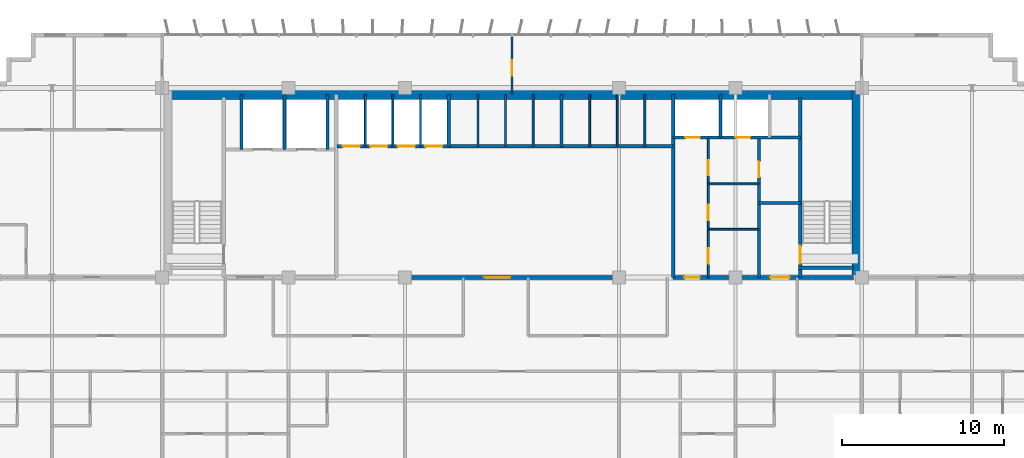
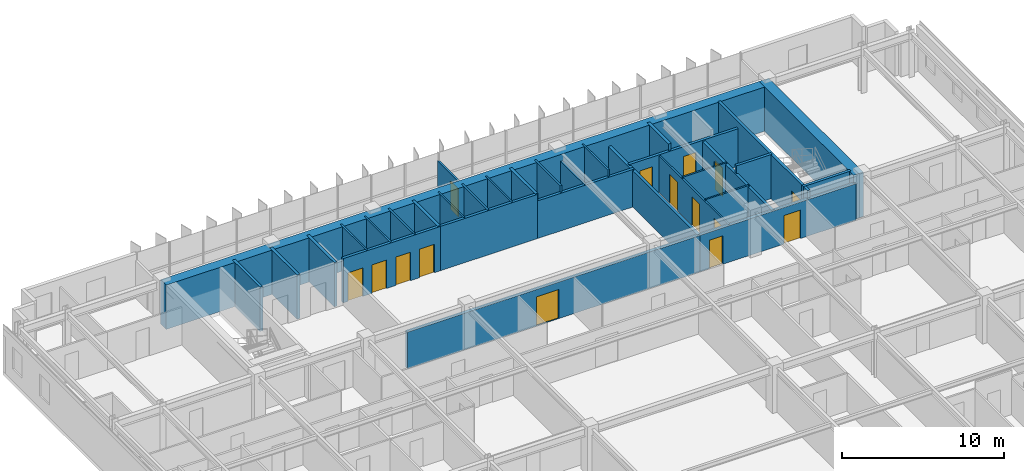
# One storey, part 18 of 22: 32 walls, 15 doors, 15 openings.
"""IFC4 building model written with IfcOpenShell, lengths in metres."""

from ifc_helpers import new_model, si_unit, direction, frame, frame_2d, origin, place, context, subcontext, project, spatial, rectangle, extrude, source, transform, mapped, material, layer, layer_set, type_object, element, fill, save


model = new_model("IFC4")

# Units and contexts
model_context = context("Model", 3, precision=1e-05, world=origin(), true_north=direction((0.0, 1.0)))
body_context = subcontext(model_context, "Body", "Model", "MODEL_VIEW")
ifc_project = project(units=[si_unit("LENGTHUNIT", "METRE"), si_unit("AREAUNIT", "SQUARE_METRE"), si_unit("VOLUMEUNIT", "CUBIC_METRE"), si_unit("PLANEANGLEUNIT", "RADIAN"), si_unit("MASSUNIT", "GRAM", prefix="KILO")], contexts=[model_context])

# Site, building, storey
site_placement = place(None, origin())
site = spatial("IfcSite", under=ifc_project, at=site_placement, CompositionType="ELEMENT")
building_placement = place(site_placement, origin())
building = spatial("IfcBuilding", under=site, at=building_placement, Name="Trelvane Seafront Commons", CompositionType="ELEMENT")
storey_placement = place(building_placement, frame((0.0, 0.0, 99.699951171875)))
storey = spatial("IfcBuildingStorey", under=building, at=storey_placement, Name="L25", CompositionType="ELEMENT", Elevation=99.699951171875)

# Wall, opening, door
ifc_material_1 = material(Name="Concrete C40/50", Category="concrete")
ifc_layer_1 = layer(ifc_material_1, 0.199951171875, Name="ARCH-WALL-FIRE200")
ifc_layer_set_1 = layer_set([ifc_layer_1], Name="Concrete C40/50")
wall_type_1 = type_object("IfcWallType", Name="ARCH-WALL-FIRE200", PredefinedType="PARTITIONING", material=ifc_layer_set_1)
wall_1_placement = place(storey_placement, frame((52.449951171875, 33.39990234375, 0.0), z_axis=(0.0, 0.0, 1.0), x_axis=(0.0, 1.0, 0.0)))
wall_1 = element("IfcWall", 1, at=wall_1_placement, inside=storey, type_object=wall_type_1, Name="W-L25-ST2V-W-033", PredefinedType="PARTITIONING", context=body_context, shape_type="SweptSolid", body=[
    extrude(rectangle(XDim=8.650146484375, YDim=0.199951171875, at=frame_2d((4.3251953125, 0.0))), origin(), (0.0, 0.0, 1.0), 2.751953125),
])
opening_1_placement = place(wall_1_placement, frame((6.199951171875, 0.0, 0.0)))
opening_1 = element("IfcOpeningElement", 2, at=opening_1_placement, cuts=wall_1, Name="Opening FD-L25-13", PredefinedType="OPENING", context=body_context, shape_type="SweptSolid", body=[
    extrude(rectangle(XDim=0.949951171875, YDim=2.14990234375, at=frame_2d((0.47509765625, 1.074951171875))), frame((0.0, 0.10986328125, 0.0), z_axis=(0.0, -1.0, 0.0), x_axis=(1.0, 0.0, 0.0)), (0.0, 0.0, 1.0), 0.219970703125),
])
ifc_material_2 = material(Name="Powder-coated aluminium frame", Category="aluminium")
door_type_1 = type_object("IfcDoorType", Name="ARCH-DR-FD60-950", OperationType="NOTDEFINED", PredefinedType="DOOR", material=ifc_material_2)
shared_shape_1 = source(origin(), body_context, "Body", "SweptSolid", [
    extrude(rectangle(XDim=0.949951171875, YDim=2.14990234375, at=frame_2d((0.47509765625, 1.074951171875))), frame((0.0, 0.02490234375, 0.0), z_axis=(0.0, -1.0, 0.0), x_axis=(1.0, 0.0, 0.0)), (0.0, 0.0, 1.0), 0.050048828125),
])
door_1_placement = place(opening_1_placement, origin())
door_1 = element("IfcDoor", 3, at=door_1_placement, inside=storey, type_object=door_type_1, Name="L25 Cleaner Store Door", OperationType="SINGLE_SWING_LEFT", OverallHeight=2.14990234375, OverallWidth=0.949951171875, PredefinedType="DOOR", context=body_context, shape_type="MappedRepresentation", body=[
    mapped(shared_shape_1, transform((0.0, 0.0, 0.0), x_axis=(1.0, 0.0, 0.0), y_axis=(0.0, 1.0, 0.0), z_axis=(0.0, 0.0, 1.0), scale=1.0)),
])
fill(opening_1, door_1)

# Wall
wall_2_placement = place(storey_placement, frame((52.449951171875, 38.0, 0.0), z_axis=(0.0, 0.0, 1.0), x_axis=(1.0, 0.0, 0.0)))
element("IfcWall", 4, at=wall_2_placement, inside=storey, type_object=wall_type_1, Name="W-L25-ST2V-N-034", PredefinedType="PARTITIONING", context=body_context, shape_type="SweptSolid", body=[
    extrude(rectangle(XDim=2.550048828125, YDim=0.199951171875, at=frame_2d((1.27490234375, 0.0))), origin(), (0.0, 0.0, 1.0), 3.340087890625),
])

# Wall, opening, door
ifc_layer_2 = layer(ifc_material_1, 0.25, Name="ARCH-WALL-FIRE250")
ifc_layer_set_2 = layer_set([ifc_layer_2], Name="Concrete C40/50")
wall_type_2 = type_object("IfcWallType", Name="ARCH-WALL-FIRE250", PredefinedType="PARTITIONING", material=ifc_layer_set_2)
wall_3_placement = place(storey_placement, frame((26.300048828125, 33.39990234375, 0.0), z_axis=(0.0, 0.0, 1.0), x_axis=(1.0, 0.0, 0.0)))
wall_3 = element("IfcWall", 5, at=wall_3_placement, inside=storey, type_object=wall_type_2, Name="W-L25-CS-PAX-029", PredefinedType="PARTITIONING", context=body_context, shape_type="SweptSolid", body=[
    extrude(rectangle(XDim=20.849853515625, YDim=0.25, at=frame_2d((10.4248046875, 0.0))), origin(), (0.0, 0.0, 1.0), 2.751953125),
])
opening_2_placement = place(wall_3_placement, frame((9.199951171875, 0.0, 0.0)))
opening_2 = element("IfcOpeningElement", 6, at=opening_2_placement, cuts=wall_3, Name="Opening FD-L25-10", PredefinedType="OPENING", context=body_context, shape_type="SweptSolid", body=[
    extrude(rectangle(XDim=1.60009765625, YDim=2.199951171875, at=frame_2d((0.800048828125, 1.10009765625))), frame((0.0, 0.135009765625, 0.0), z_axis=(0.0, -1.0, 0.0), x_axis=(1.0, 0.0, 0.0)), (0.0, 0.0, 1.0), 0.27001953125),
])
door_type_2 = type_object("IfcDoorType", Name="ARCH-DR-FD60-1600", OperationType="DOUBLE_DOOR_SINGLE_SWING", PredefinedType="DOOR", material=ifc_material_2)
shared_shape_2 = source(origin(), body_context, "Body", "SweptSolid", [
    extrude(rectangle(XDim=1.60009765625, YDim=2.199951171875, at=frame_2d((0.800048828125, 1.10009765625))), frame((0.0, 0.02490234375, 0.0), z_axis=(0.0, -1.0, 0.0), x_axis=(1.0, 0.0, 0.0)), (0.0, 0.0, 1.0), 0.050048828125),
])
door_2_placement = place(opening_2_placement, origin())
door_2 = element("IfcDoor", 7, at=door_2_placement, inside=storey, type_object=door_type_2, Name="L25 Passenger Lift Lobby Double Door", OperationType="DOUBLE_DOOR_SINGLE_SWING", OverallHeight=2.199951171875, OverallWidth=1.60009765625, PredefinedType="DOOR", context=body_context, shape_type="MappedRepresentation", body=[
    mapped(shared_shape_2, transform((0.0, 0.0, 0.0), x_axis=(1.0, 0.0, 0.0), y_axis=(0.0, 1.0, 0.0), z_axis=(0.0, 0.0, 1.0), scale=1.0)),
])
fill(opening_2, door_2)

# Wall, openings, doors
wall_4_placement = place(storey_placement, frame((47.14990234375, 33.39990234375, 0.0), z_axis=(0.0, 0.0, 1.0), x_axis=(1.0, 0.0, 0.0)))
wall_4 = element("IfcWall", 8, at=wall_4_placement, inside=storey, type_object=wall_type_2, Name="W-L25-CS-EAST-038", PredefinedType="PARTITIONING", context=body_context, shape_type="SweptSolid", body=[
    extrude(rectangle(XDim=11.150146484375, YDim=0.25, at=frame_2d((5.5751953125, 0.0))), origin(), (0.0, 0.0, 1.0), 2.751953125),
])
opening_3_placement = place(wall_4_placement, frame((0.699951171875, 0.0, 0.0)))
opening_3 = element("IfcOpeningElement", 9, at=opening_3_placement, cuts=wall_4, Name="Opening FD-L25-17", PredefinedType="OPENING", context=body_context, shape_type="SweptSolid", body=[
    extrude(rectangle(XDim=0.949951171875, YDim=2.14990234375, at=frame_2d((0.47509765625, 1.074951171875))), frame((0.0, 0.135009765625, 0.0), z_axis=(0.0, -1.0, 0.0), x_axis=(1.0, 0.0, 0.0)), (0.0, 0.0, 1.0), 0.27001953125),
])
opening_4_placement = place(wall_4_placement, frame((6.0, 0.0, 0.0)))
opening_4 = element("IfcOpeningElement", 10, at=opening_4_placement, cuts=wall_4, Name="Opening FD-L25-18", PredefinedType="OPENING", context=body_context, shape_type="SweptSolid", body=[
    extrude(rectangle(XDim=1.199951171875, YDim=2.14990234375, at=frame_2d((0.60009765625, 1.074951171875))), frame((0.0, 0.135009765625, 0.0), z_axis=(0.0, -1.0, 0.0), x_axis=(1.0, 0.0, 0.0)), (0.0, 0.0, 1.0), 0.27001953125),
])
door_3_placement = place(opening_3_placement, origin())
door_3 = element("IfcDoor", 11, at=door_3_placement, inside=storey, type_object=door_type_1, Name="L25 Core Service Lobby Door", OperationType="SINGLE_SWING_LEFT", OverallHeight=2.14990234375, OverallWidth=0.949951171875, PredefinedType="DOOR", context=body_context, shape_type="MappedRepresentation", body=[
    mapped(shared_shape_1, transform((0.0, 0.0, 0.0), x_axis=(1.0, 0.0, 0.0), y_axis=(0.0, 1.0, 0.0), z_axis=(0.0, 0.0, 1.0), scale=1.0)),
])
fill(opening_3, door_3)
door_type_3 = type_object("IfcDoorType", Name="ARCH-DR-FD60-1200", OperationType="NOTDEFINED", PredefinedType="DOOR", material=ifc_material_2)
shared_shape_3 = source(origin(), body_context, "Body", "SweptSolid", [
    extrude(rectangle(XDim=1.199951171875, YDim=2.14990234375, at=frame_2d((0.60009765625, 1.074951171875))), frame((0.0, 0.02490234375, 0.0), z_axis=(0.0, -1.0, 0.0), x_axis=(1.0, 0.0, 0.0)), (0.0, 0.0, 1.0), 0.050048828125),
])
door_4_placement = place(opening_4_placement, origin())
door_4 = element("IfcDoor", 12, at=door_4_placement, inside=storey, type_object=door_type_3, Name="L25 East Stair Vestibule Fire Door", OperationType="SINGLE_SWING_RIGHT", OverallHeight=2.14990234375, OverallWidth=1.199951171875, PredefinedType="DOOR", context=body_context, shape_type="MappedRepresentation", body=[
    mapped(shared_shape_3, transform((0.0, 0.0, 0.0), x_axis=(1.0, 0.0, 0.0), y_axis=(0.0, 1.0, 0.0), z_axis=(0.0, 0.0, 1.0), scale=1.0)),
])
fill(opening_4, door_4)

# Walls
ifc_material_3 = material(Name="Gypsum Drywall Acoustic Partition")
ifc_layer_3 = layer(ifc_material_3, 0.1201171875, Name="ARCH-WALL-PART120")
ifc_layer_set_3 = layer_set([ifc_layer_3], Name="Gypsum Drywall Acoustic Partition")
wall_type_3 = type_object("IfcWallType", Name="ARCH-WALL-PART120", PredefinedType="PARTITIONING", material=ifc_layer_set_3)
for number, where, z_axis, x_axis, name in (
    (13, (28.14990234375, 41.5, 0.0), (0.0, 0.0, 1.0), (0.0, 1.0, 0.0), "W-L25-PL-DIV1-016"),
    (14, (29.85009765625, 41.5, 0.0), (0.0, 0.0, 1.0), (0.0, 1.0, 0.0), "W-L25-PL-DIV2-017"),
    (15, (31.550048828125, 41.5, 0.0), (0.0, 0.0, 1.0), (0.0, 1.0, 0.0), "W-L25-PL-DIV3-018"),
    (16, (35.10009765625, 41.5, 0.0), (0.0, 0.0, 1.0), (0.0, 1.0, 0.0), "W-L25-PM-DIV1-020"),
    (17, (36.800048828125, 41.5, 0.0), (0.0, 0.0, 1.0), (0.0, 1.0, 0.0), "W-L25-PM-DIV2-021"),
    (18, (38.5, 41.5, 0.0), (0.0, 0.0, 1.0), (0.0, 1.0, 0.0), "W-L25-PM-DIV3-022"),
    (19, (42.0, 41.5, 0.0), (0.0, 0.0, 1.0), (0.0, 1.0, 0.0), "W-L25-PH-DIV1-025"),
):
    element("IfcWall", number, at=place(storey_placement, frame(where, z_axis=z_axis, x_axis=x_axis)), inside=storey, type_object=wall_type_3, Name=name, PredefinedType="PARTITIONING", context=body_context, shape_type="SweptSolid", body=[
        extrude(rectangle(XDim=3.199951171875, YDim=0.1201171875, at=frame_2d((1.60009765625, 0.0))), origin(), (0.0, 0.0, 1.0), 3.340087890625),
    ])
wall_5_placement = place(storey_placement, frame((43.699951171875, 41.5, 0.0), z_axis=(0.0, 0.0, 1.0), x_axis=(0.0, 1.0, 0.0)))
element("IfcWall", 20, at=wall_5_placement, inside=storey, type_object=wall_type_3, Name="W-L25-PH-DIV2-026", PredefinedType="PARTITIONING", context=body_context, shape_type="SweptSolid", body=[
    extrude(rectangle(XDim=3.199951171875, YDim=0.1201171875, at=frame_2d((1.60009765625, 0.0))), origin(), (0.0, 0.0, 1.0), 2.840087890625),
])
wall_6_placement = place(storey_placement, frame((45.39990234375, 41.5, 0.0), z_axis=(0.0, 0.0, 1.0), x_axis=(0.0, 1.0, 0.0)))
element("IfcWall", 21, at=wall_6_placement, inside=storey, type_object=wall_type_3, Name="W-L25-PH-DIV3-027", PredefinedType="PARTITIONING", context=body_context, shape_type="SweptSolid", body=[
    extrude(rectangle(XDim=3.199951171875, YDim=0.1201171875, at=frame_2d((1.60009765625, 0.0))), origin(), (0.0, 0.0, 1.0), 3.340087890625),
])

# Wall, openings, doors
wall_7_placement = place(storey_placement, frame((49.320068359375, 33.39990234375, 0.0), z_axis=(0.0, 0.0, 1.0), x_axis=(0.0, 1.0, 0.0)))
wall_7 = element("IfcWall", 22, at=wall_7_placement, inside=storey, type_object=wall_type_3, Name="W-L25-CYC3-V-035", PredefinedType="PARTITIONING", context=body_context, shape_type="SweptSolid", body=[
    extrude(rectangle(XDim=8.60009765625, YDim=0.1201171875, at=frame_2d((4.300048828125, 0.0))), origin(), (0.0, 0.0, 1.0), 2.751953125),
])
opening_5_placement = place(wall_7_placement, frame((0.85009765625, 0.0, 0.0)))
opening_5 = element("IfcOpeningElement", 23, at=opening_5_placement, cuts=wall_7, Name="Opening D-L25-14", PredefinedType="OPENING", context=body_context, shape_type="SweptSolid", body=[
    extrude(rectangle(XDim=0.949951171875, YDim=2.14990234375, at=frame_2d((0.47509765625, 1.074951171875))), frame((0.0, 0.070068359375, 0.0), z_axis=(0.0, -1.0, 0.0), x_axis=(1.0, 0.0, 0.0)), (0.0, 0.0, 1.0), 0.14013671875),
])
opening_6_placement = place(wall_7_placement, frame((3.550048828125, 0.0, 0.0)))
opening_6 = element("IfcOpeningElement", 24, at=opening_6_placement, cuts=wall_7, Name="Opening D-L25-15", PredefinedType="OPENING", context=body_context, shape_type="SweptSolid", body=[
    extrude(rectangle(XDim=0.949951171875, YDim=2.14990234375, at=frame_2d((0.47509765625, 1.074951171875))), frame((0.0, 0.070068359375, 0.0), z_axis=(0.0, -1.0, 0.0), x_axis=(1.0, 0.0, 0.0)), (0.0, 0.0, 1.0), 0.14013671875),
])
opening_7_placement = place(wall_7_placement, frame((6.300048828125, 0.0, 0.0)))
opening_7 = element("IfcOpeningElement", 25, at=opening_7_placement, cuts=wall_7, Name="Opening D-L25-16", PredefinedType="OPENING", context=body_context, shape_type="SweptSolid", body=[
    extrude(rectangle(XDim=0.949951171875, YDim=2.14990234375, at=frame_2d((0.47509765625, 1.074951171875))), frame((0.0, 0.070068359375, 0.0), z_axis=(0.0, -1.0, 0.0), x_axis=(1.0, 0.0, 0.0)), (0.0, 0.0, 1.0), 0.14013671875),
])
ifc_material_4 = material(Name="Acoustic timber door leaf", Category="wood")
door_type_4 = type_object("IfcDoorType", Name="ARCH-DR-INT950", OperationType="NOTDEFINED", PredefinedType="DOOR", material=ifc_material_4)
door_5_placement = place(opening_5_placement, origin())
door_5 = element("IfcDoor", 26, at=door_5_placement, inside=storey, type_object=door_type_4, Name="L25 Accessible WC Door", OperationType="SINGLE_SWING_RIGHT", OverallHeight=2.14990234375, OverallWidth=0.949951171875, PredefinedType="DOOR", context=body_context, shape_type="MappedRepresentation", body=[
    mapped(shared_shape_1, transform((0.0, 0.0, 0.0), x_axis=(1.0, 0.0, 0.0), y_axis=(0.0, 1.0, 0.0), z_axis=(0.0, 0.0, 1.0), scale=1.0)),
])
fill(opening_5, door_5)
door_6_placement = place(opening_6_placement, origin())
door_6 = element("IfcDoor", 27, at=door_6_placement, inside=storey, type_object=door_type_4, Name="L25 Staff WC Door", OperationType="SINGLE_SWING_LEFT", OverallHeight=2.14990234375, OverallWidth=0.949951171875, PredefinedType="DOOR", context=body_context, shape_type="MappedRepresentation", body=[
    mapped(shared_shape_1, transform((0.0, 0.0, 0.0), x_axis=(1.0, 0.0, 0.0), y_axis=(0.0, 1.0, 0.0), z_axis=(0.0, 0.0, 1.0), scale=1.0)),
])
fill(opening_6, door_6)
door_7_placement = place(opening_7_placement, origin())
door_7 = element("IfcDoor", 28, at=door_7_placement, inside=storey, type_object=door_type_4, Name="L25 Electrical Room Door", OperationType="SINGLE_SWING_RIGHT", OverallHeight=2.14990234375, OverallWidth=0.949951171875, PredefinedType="DOOR", context=body_context, shape_type="MappedRepresentation", body=[
    mapped(shared_shape_1, transform((0.0, 0.0, 0.0), x_axis=(1.0, 0.0, 0.0), y_axis=(0.0, 1.0, 0.0), z_axis=(0.0, 0.0, 1.0), scale=1.0)),
])
fill(opening_7, door_7)

# Walls
for number, where, z_axis, x_axis, name in (
    (29, (49.320068359375, 36.3798828125, 0.0), (0.0, 0.0, 1.0), (1.0, 0.0, 0.0), "W-L25-CYC3-H1-036"),
    (30, (49.320068359375, 39.179931640625, 0.0), (0.0, 0.0, 1.0), (1.0, 0.0, 0.0), "W-L25-CYC3-H2-037"),
):
    element("IfcWall", number, at=place(storey_placement, frame(where, z_axis=z_axis, x_axis=x_axis)), inside=storey, type_object=wall_type_3, Name=name, PredefinedType="PARTITIONING", context=body_context, shape_type="SweptSolid", body=[
        extrude(rectangle(XDim=3.1298828125, YDim=0.1201171875, at=frame_2d((1.56494140625, 0.0))), origin(), (0.0, 0.0, 1.0), 2.840087890625),
    ])

# Wall, opening, door
wall_8_placement = place(storey_placement, frame((37.199951171875, 44.75, 0.0), z_axis=(0.0, 0.0, 1.0), x_axis=(0.0, 1.0, 0.0)))
wall_8 = element("IfcWall", 31, at=wall_8_placement, inside=storey, type_object=wall_type_3, Name="W-L25-N-MID-DV-057", PredefinedType="PARTITIONING", context=body_context, shape_type="SweptSolid", body=[
    extrude(rectangle(XDim=3.610107421875, YDim=0.1201171875, at=frame_2d((1.80517578125, 0.0))), origin(), (0.0, 0.0, 1.0), 2.751953125),
])
opening_8_placement = place(wall_8_placement, frame((1.10009765625, 0.0, 0.0)))
opening_8 = element("IfcOpeningElement", 32, at=opening_8_placement, cuts=wall_8, Name="Opening D-L25-29", PredefinedType="OPENING", context=body_context, shape_type="SweptSolid", body=[
    extrude(rectangle(XDim=0.949951171875, YDim=2.14990234375, at=frame_2d((0.47509765625, 1.074951171875))), frame((0.0, 0.070068359375, 0.0), z_axis=(0.0, -1.0, 0.0), x_axis=(1.0, 0.0, 0.0)), (0.0, 0.0, 1.0), 0.14013671875),
])
door_8_placement = place(opening_8_placement, origin())
door_8 = element("IfcDoor", 33, at=door_8_placement, inside=storey, type_object=door_type_4, Name="L25 Door 29", OperationType="SINGLE_SWING_LEFT", OverallHeight=2.14990234375, OverallWidth=0.949951171875, PredefinedType="DOOR", context=body_context, shape_type="MappedRepresentation", body=[
    mapped(shared_shape_1, transform((0.0, 0.0, 0.0), x_axis=(1.0, 0.0, 0.0), y_axis=(0.0, 1.0, 0.0), z_axis=(0.0, 0.0, 1.0), scale=1.0)),
])
fill(opening_8, door_8)

# Walls
ifc_layer_4 = layer(ifc_material_1, 0.199951171875, Name="ARCH-WALL-SHAFT200")
ifc_layer_set_4 = layer_set([ifc_layer_4], Name="Concrete C40/50")
wall_type_4 = type_object("IfcWallType", Name="ARCH-WALL-SHAFT200", PredefinedType="SOLIDWALL", material=ifc_layer_set_4)
for number, where, z_axis, x_axis, name in (
    (34, (20.5, 41.300048828125, 0.0), (0.0, 0.0, 1.0), (0.0, 1.0, 0.0), "W-L25-FFL-SH-W-009"),
    (35, (23.14990234375, 41.300048828125, 0.0), (0.0, 0.0, 1.0), (0.0, 1.0, 0.0), "W-L25-FFL-DIV-010"),
    (36, (25.800048828125, 41.300048828125, 0.0), (0.0, 0.0, 1.0), (0.0, 1.0, 0.0), "W-L25-FFL-SH-E-011"),
):
    element("IfcWall", number, at=place(storey_placement, frame(where, z_axis=z_axis, x_axis=x_axis)), inside=storey, type_object=wall_type_4, Name=name, PredefinedType="SOLIDWALL", context=body_context, shape_type="SweptSolid", body=[
        extrude(rectangle(XDim=3.39990234375, YDim=0.199951171875, at=frame_2d((1.699951171875, 0.0))), origin(), (0.0, 0.0, 1.0), 3.340087890625),
    ])

# Wall, openings, doors
wall_9_placement = place(storey_placement, frame((26.39990234375, 41.5, 0.0), z_axis=(0.0, 0.0, 1.0), x_axis=(1.0, 0.0, 0.0)))
wall_9 = element("IfcWall", 37, at=wall_9_placement, inside=storey, type_object=wall_type_4, Name="W-L25-PL-FRONT-014", PredefinedType="SOLIDWALL", context=body_context, shape_type="SweptSolid", body=[
    extrude(rectangle(XDim=6.9501953125, YDim=0.199951171875, at=frame_2d((3.47509765625, 0.0))), origin(), (0.0, 0.0, 1.0), 3.340087890625),
])
opening_9_placement = place(wall_9_placement, frame((0.35009765625, 0.0, 0.0)))
opening_9 = element("IfcOpeningElement", 38, at=opening_9_placement, cuts=wall_9, Name="Opening LD-PL1-L25", PredefinedType="OPENING", context=body_context, shape_type="SweptSolid", body=[
    extrude(rectangle(XDim=1.050048828125, YDim=2.14990234375, at=frame_2d((0.52490234375, 1.074951171875))), frame((0.0, 0.10986328125, 0.0), z_axis=(0.0, -1.0, 0.0), x_axis=(1.0, 0.0, 0.0)), (0.0, 0.0, 1.0), 0.219970703125),
])
opening_10_placement = place(wall_9_placement, frame((2.050048828125, 0.0, 0.0)))
opening_10 = element("IfcOpeningElement", 39, at=opening_10_placement, cuts=wall_9, Name="Opening LD-PL2-L25", PredefinedType="OPENING", context=body_context, shape_type="SweptSolid", body=[
    extrude(rectangle(XDim=1.050048828125, YDim=2.14990234375, at=frame_2d((0.52490234375, 1.074951171875))), frame((0.0, 0.10986328125, 0.0), z_axis=(0.0, -1.0, 0.0), x_axis=(1.0, 0.0, 0.0)), (0.0, 0.0, 1.0), 0.219970703125),
])
opening_11_placement = place(wall_9_placement, frame((3.75, 0.0, 0.0)))
opening_11 = element("IfcOpeningElement", 40, at=opening_11_placement, cuts=wall_9, Name="Opening LD-PL3-L25", PredefinedType="OPENING", context=body_context, shape_type="SweptSolid", body=[
    extrude(rectangle(XDim=1.050048828125, YDim=2.14990234375, at=frame_2d((0.52490234375, 1.074951171875))), frame((0.0, 0.10986328125, 0.0), z_axis=(0.0, -1.0, 0.0), x_axis=(1.0, 0.0, 0.0)), (0.0, 0.0, 1.0), 0.219970703125),
])
opening_12_placement = place(wall_9_placement, frame((5.449951171875, 0.0, 0.0)))
opening_12 = element("IfcOpeningElement", 41, at=opening_12_placement, cuts=wall_9, Name="Opening LD-PL4-L25", PredefinedType="OPENING", context=body_context, shape_type="SweptSolid", body=[
    extrude(rectangle(XDim=1.050048828125, YDim=2.14990234375, at=frame_2d((0.52490234375, 1.074951171875))), frame((0.0, 0.10986328125, 0.0), z_axis=(0.0, -1.0, 0.0), x_axis=(1.0, 0.0, 0.0)), (0.0, 0.0, 1.0), 0.219970703125),
])
ifc_material_5 = material(Name="Stainless steel balustrade", Category="steel")
door_type_5 = type_object("IfcDoorType", Name="ARCH-DR-LD1050", OperationType="DOUBLE_DOOR_SLIDING", PredefinedType="DOOR", material=ifc_material_5)
shared_shape_4 = source(origin(), body_context, "Body", "SweptSolid", [
    extrude(rectangle(XDim=1.050048828125, YDim=2.14990234375, at=frame_2d((0.52490234375, 1.074951171875))), frame((0.0, 0.02490234375, 0.0), z_axis=(0.0, -1.0, 0.0), x_axis=(1.0, 0.0, 0.0)), (0.0, 0.0, 1.0), 0.050048828125),
])
door_9_placement = place(opening_9_placement, origin())
door_9 = element("IfcDoor", 42, at=door_9_placement, inside=storey, type_object=door_type_5, Name="L25 Passenger Lift PL-1 Landing Door", OperationType="DOUBLE_DOOR_SLIDING", OverallHeight=2.14990234375, OverallWidth=1.050048828125, PredefinedType="DOOR", context=body_context, shape_type="MappedRepresentation", body=[
    mapped(shared_shape_4, transform((0.0, 0.0, 0.0), x_axis=(1.0, 0.0, 0.0), y_axis=(0.0, 1.0, 0.0), z_axis=(0.0, 0.0, 1.0), scale=1.0)),
])
fill(opening_9, door_9)
door_10_placement = place(opening_10_placement, origin())
door_10 = element("IfcDoor", 43, at=door_10_placement, inside=storey, type_object=door_type_5, Name="L25 Passenger Lift PL-2 Landing Door", OperationType="DOUBLE_DOOR_SLIDING", OverallHeight=2.14990234375, OverallWidth=1.050048828125, PredefinedType="DOOR", context=body_context, shape_type="MappedRepresentation", body=[
    mapped(shared_shape_4, transform((0.0, 0.0, 0.0), x_axis=(1.0, 0.0, 0.0), y_axis=(0.0, 1.0, 0.0), z_axis=(0.0, 0.0, 1.0), scale=1.0)),
])
fill(opening_10, door_10)
door_11_placement = place(opening_11_placement, origin())
door_11 = element("IfcDoor", 44, at=door_11_placement, inside=storey, type_object=door_type_5, Name="L25 Passenger Lift PL-3 Landing Door", OperationType="DOUBLE_DOOR_SLIDING", OverallHeight=2.14990234375, OverallWidth=1.050048828125, PredefinedType="DOOR", context=body_context, shape_type="MappedRepresentation", body=[
    mapped(shared_shape_4, transform((0.0, 0.0, 0.0), x_axis=(1.0, 0.0, 0.0), y_axis=(0.0, 1.0, 0.0), z_axis=(0.0, 0.0, 1.0), scale=1.0)),
])
fill(opening_11, door_11)
door_12_placement = place(opening_12_placement, origin())
door_12 = element("IfcDoor", 45, at=door_12_placement, inside=storey, type_object=door_type_5, Name="L25 Passenger Lift PL-4 Landing Door", OperationType="DOUBLE_DOOR_SLIDING", OverallHeight=2.14990234375, OverallWidth=1.050048828125, PredefinedType="DOOR", context=body_context, shape_type="MappedRepresentation", body=[
    mapped(shared_shape_4, transform((0.0, 0.0, 0.0), x_axis=(1.0, 0.0, 0.0), y_axis=(0.0, 1.0, 0.0), z_axis=(0.0, 0.0, 1.0), scale=1.0)),
])
fill(opening_12, door_12)

# Walls
wall_10_placement = place(storey_placement, frame((33.300048828125, 41.5, 0.0), z_axis=(0.0, 0.0, 1.0), x_axis=(0.0, 1.0, 0.0)))
element("IfcWall", 46, at=wall_10_placement, inside=storey, type_object=wall_type_4, Name="W-L25-PL-EAST-SH-015", PredefinedType="SOLIDWALL", context=body_context, shape_type="SweptSolid", body=[
    extrude(rectangle(XDim=3.199951171875, YDim=0.199951171875, at=frame_2d((1.60009765625, 0.0))), origin(), (0.0, 0.0, 1.0), 3.340087890625),
])
wall_11_placement = place(storey_placement, frame((33.35009765625, 41.5, 0.0), z_axis=(0.0, 0.0, 1.0), x_axis=(1.0, 0.0, 0.0)))
element("IfcWall", 47, at=wall_11_placement, inside=storey, type_object=wall_type_4, Name="W-L25-PM-FRONT-019", PredefinedType="SOLIDWALL", context=body_context, shape_type="SweptSolid", body=[
    extrude(rectangle(XDim=6.89990234375, YDim=0.199951171875, at=frame_2d((3.449951171875, 0.0))), origin(), (0.0, 0.0, 1.0), 3.340087890625),
])
wall_12_placement = place(storey_placement, frame((40.25, 41.5, 0.0), z_axis=(0.0, 0.0, 1.0), x_axis=(1.0, 0.0, 0.0)))
element("IfcWall", 48, at=wall_12_placement, inside=storey, type_object=wall_type_4, Name="W-L25-PH-FRONT-023", PredefinedType="SOLIDWALL", context=body_context, shape_type="SweptSolid", body=[
    extrude(rectangle(XDim=6.89990234375, YDim=0.199951171875, at=frame_2d((3.449951171875, 0.0))), origin(), (0.0, 0.0, 1.0), 2.840087890625),
])
wall_13_placement = place(storey_placement, frame((40.25, 41.5, 0.0), z_axis=(0.0, 0.0, 1.0), x_axis=(0.0, 1.0, 0.0)))
element("IfcWall", 49, at=wall_13_placement, inside=storey, type_object=wall_type_4, Name="W-L25-PH-WEST-SH-024", PredefinedType="SOLIDWALL", context=body_context, shape_type="SweptSolid", body=[
    extrude(rectangle(XDim=3.199951171875, YDim=0.199951171875, at=frame_2d((1.60009765625, 0.0))), origin(), (0.0, 0.0, 1.0), 3.340087890625),
])
wall_14_placement = place(storey_placement, frame((47.14990234375, 33.39990234375, 0.0), z_axis=(0.0, 0.0, 1.0), x_axis=(0.0, 1.0, 0.0)))
element("IfcWall", 50, at=wall_14_placement, inside=storey, type_object=wall_type_4, Name="W-L25-PH-EAST-028", PredefinedType="SOLIDWALL", context=body_context, shape_type="SweptSolid", body=[
    extrude(rectangle(XDim=11.300048828125, YDim=0.199951171875, at=frame_2d((5.64990234375, 0.0))), origin(), (0.0, 0.0, 1.0), 2.751953125),
])

# Wall, openings, doors
wall_15_placement = place(storey_placement, frame((47.14990234375, 42.050048828125, 0.0), z_axis=(0.0, 0.0, 1.0), x_axis=(1.0, 0.0, 0.0)))
wall_15 = element("IfcWall", 51, at=wall_15_placement, inside=storey, type_object=wall_type_4, Name="W-L25-RSR-S-030", PredefinedType="SOLIDWALL", context=body_context, shape_type="SweptSolid", body=[
    extrude(rectangle(XDim=7.85009765625, YDim=0.199951171875, at=frame_2d((3.925048828125, 0.0))), origin(), (0.0, 0.0, 1.0), 2.840087890625),
])
opening_13_placement = place(wall_15_placement, frame((0.75, 0.0, 0.0)))
opening_13 = element("IfcOpeningElement", 52, at=opening_13_placement, cuts=wall_15, Name="Opening FD-L25-11", PredefinedType="OPENING", context=body_context, shape_type="SweptSolid", body=[
    extrude(rectangle(XDim=0.89990234375, YDim=2.10009765625, at=frame_2d((0.449951171875, 1.050048828125))), frame((0.0, 0.10986328125, 0.0), z_axis=(0.0, -1.0, 0.0), x_axis=(1.0, 0.0, 0.0)), (0.0, 0.0, 1.0), 0.219970703125),
])
opening_14_placement = place(wall_15_placement, frame((3.85009765625, 0.0, 0.0)))
opening_14 = element("IfcOpeningElement", 53, at=opening_14_placement, cuts=wall_15, Name="Opening FD-L25-12", PredefinedType="OPENING", context=body_context, shape_type="SweptSolid", body=[
    extrude(rectangle(XDim=0.89990234375, YDim=2.10009765625, at=frame_2d((0.449951171875, 1.050048828125))), frame((0.0, 0.10986328125, 0.0), z_axis=(0.0, -1.0, 0.0), x_axis=(1.0, 0.0, 0.0)), (0.0, 0.0, 1.0), 0.219970703125),
])
door_type_6 = type_object("IfcDoorType", Name="ARCH-DR-FD60-900", OperationType="NOTDEFINED", PredefinedType="DOOR", material=ifc_material_2)
shared_shape_5 = source(origin(), body_context, "Body", "SweptSolid", [
    extrude(rectangle(XDim=0.89990234375, YDim=2.10009765625, at=frame_2d((0.449951171875, 1.050048828125))), frame((0.0, 0.02490234375, 0.0), z_axis=(0.0, -1.0, 0.0), x_axis=(1.0, 0.0, 0.0)), (0.0, 0.0, 1.0), 0.050048828125),
])
door_13_placement = place(opening_13_placement, origin())
door_13 = element("IfcDoor", 54, at=door_13_placement, inside=storey, type_object=door_type_6, Name="L25 Electrical Riser Access Door", OperationType="SINGLE_SWING_LEFT", OverallHeight=2.10009765625, OverallWidth=0.89990234375, PredefinedType="DOOR", context=body_context, shape_type="MappedRepresentation", body=[
    mapped(shared_shape_5, transform((0.0, 0.0, 0.0), x_axis=(1.0, 0.0, 0.0), y_axis=(0.0, 1.0, 0.0), z_axis=(0.0, 0.0, 1.0), scale=1.0)),
])
fill(opening_13, door_13)
door_14_placement = place(opening_14_placement, origin())
door_14 = element("IfcDoor", 55, at=door_14_placement, inside=storey, type_object=door_type_6, Name="L25 Mechanical Riser Access Door", OperationType="SINGLE_SWING_RIGHT", OverallHeight=2.10009765625, OverallWidth=0.89990234375, PredefinedType="DOOR", context=body_context, shape_type="MappedRepresentation", body=[
    mapped(shared_shape_5, transform((0.0, 0.0, 0.0), x_axis=(1.0, 0.0, 0.0), y_axis=(0.0, 1.0, 0.0), z_axis=(0.0, 0.0, 1.0), scale=1.0)),
])
fill(opening_14, door_14)

# Walls
wall_16_placement = place(storey_placement, frame((50.080078125, 42.050048828125, 0.0), z_axis=(0.0, 0.0, 1.0), x_axis=(0.0, 1.0, 0.0)))
element("IfcWall", 56, at=wall_16_placement, inside=storey, type_object=wall_type_4, Name="W-L25-RSR-DIV-031", PredefinedType="SOLIDWALL", context=body_context, shape_type="SweptSolid", body=[
    extrude(rectangle(XDim=2.64990234375, YDim=0.199951171875, at=frame_2d((1.324951171875, 0.0))), origin(), (0.0, 0.0, 1.0), 3.340087890625),
])
ifc_material_6 = material(Name="Concrete C60/75", Category="concrete")
ifc_layer_5 = layer(ifc_material_6, 0.699951171875, Name="STR-WALL-CORE700")
ifc_layer_set_5 = layer_set([ifc_layer_5], Name="Concrete C60/75")
wall_type_5 = type_object("IfcWallType", Name="STR-WALL-CORE700", PredefinedType="SHEAR", material=ifc_layer_set_5)
wall_17_placement = place(storey_placement, frame((15.5, 44.75, 0.0), z_axis=(0.0, 0.0, 1.0), x_axis=(1.0, 0.0, 0.0)))
element("IfcWall", 57, at=wall_17_placement, inside=storey, type_object=wall_type_5, Name="W-L25-CN-ALL-001", PredefinedType="SHEAR", context=body_context, shape_type="SweptSolid", body=[
    extrude(rectangle(XDim=43.39990234375, YDim=0.699951171875, at=frame_2d((21.699951171875, 0.0))), origin(), (0.0, 0.0, 1.0), 3.340087890625),
])
wall_18_placement = place(storey_placement, frame((58.550048828125, 33.39990234375, 0.0), z_axis=(0.0, 0.0, 1.0), x_axis=(0.0, 1.0, 0.0)))
element("IfcWall", 58, at=wall_18_placement, inside=storey, type_object=wall_type_5, Name="W-L25-CE-END-003", PredefinedType="SHEAR", context=body_context, shape_type="SweptSolid", body=[
    extrude(rectangle(XDim=11.7001953125, YDim=0.699951171875, at=frame_2d((5.85009765625, 0.0))), origin(), (0.0, 0.0, 1.0), 3.340087890625),
])
ifc_material_7 = material(Name="Concrete C50/60", Category="concrete")
ifc_layer_6 = layer(ifc_material_7, 0.199951171875, Name="STR-WALL-STAIR200")
ifc_layer_set_6 = layer_set([ifc_layer_6], Name="Concrete C50/60")
wall_type_6 = type_object("IfcWallType", Name="STR-WALL-STAIR200", PredefinedType="SHEAR", material=ifc_layer_set_6)
wall_19_placement = place(storey_placement, frame((54.89990234375, 34.0, 0.0), z_axis=(0.0, 0.0, 1.0), x_axis=(1.0, 0.0, 0.0)))
element("IfcWall", 59, at=wall_19_placement, inside=storey, type_object=wall_type_6, Name="W-L25-ST2-S-006", PredefinedType="SHEAR", context=body_context, shape_type="SweptSolid", body=[
    extrude(rectangle(XDim=3.400146484375, YDim=0.199951171875, at=frame_2d((1.7001953125, 0.0))), origin(), (0.0, 0.0, 1.0), 3.340087890625),
])

# Wall, opening, door
wall_20_placement = place(storey_placement, frame((55.0, 33.39990234375, 0.0), z_axis=(0.0, 0.0, 1.0), x_axis=(0.0, 1.0, 0.0)))
wall_20 = element("IfcWall", 60, at=wall_20_placement, inside=storey, type_object=wall_type_6, Name="W-L25-ST2-W-007", PredefinedType="SHEAR", context=body_context, shape_type="SweptSolid", body=[
    extrude(rectangle(XDim=11.10009765625, YDim=0.199951171875, at=frame_2d((5.550048828125, 0.0))), origin(), (0.0, 0.0, 1.0), 3.340087890625),
])
opening_15_placement = place(wall_20_placement, frame((0.85009765625, 0.0, 0.0)))
opening_15 = element("IfcOpeningElement", 61, at=opening_15_placement, cuts=wall_20, Name="Opening ST-D2-L25", PredefinedType="OPENING", context=body_context, shape_type="SweptSolid", body=[
    extrude(rectangle(XDim=1.10009765625, YDim=2.14990234375, at=frame_2d((0.550048828125, 1.074951171875))), frame((0.0, 0.10986328125, 0.0), z_axis=(0.0, -1.0, 0.0), x_axis=(1.0, 0.0, 0.0)), (0.0, 0.0, 1.0), 0.219970703125),
])
door_type_7 = type_object("IfcDoorType", Name="ARCH-DR-FD90-1100", OperationType="NOTDEFINED", PredefinedType="DOOR", material=ifc_material_2)
shared_shape_6 = source(origin(), body_context, "Body", "SweptSolid", [
    extrude(rectangle(XDim=1.10009765625, YDim=2.14990234375, at=frame_2d((0.550048828125, 1.074951171875))), frame((0.0, 0.02490234375, 0.0), z_axis=(0.0, -1.0, 0.0), x_axis=(1.0, 0.0, 0.0)), (0.0, 0.0, 1.0), 0.050048828125),
])
door_15_placement = place(opening_15_placement, origin())
door_15 = element("IfcDoor", 62, at=door_15_placement, inside=storey, type_object=door_type_7, Name="L25 Stair ST-2 Vestibule Fire Door", OperationType="SINGLE_SWING_RIGHT", OverallHeight=2.14990234375, OverallWidth=1.10009765625, PredefinedType="DOOR", context=body_context, shape_type="MappedRepresentation", body=[
    mapped(shared_shape_6, transform((0.0, 0.0, 0.0), x_axis=(1.0, 0.0, 0.0), y_axis=(0.0, 1.0, 0.0), z_axis=(0.0, 0.0, 1.0), scale=1.0)),
])
fill(opening_15, door_15)

save(model, "model.ifc")
